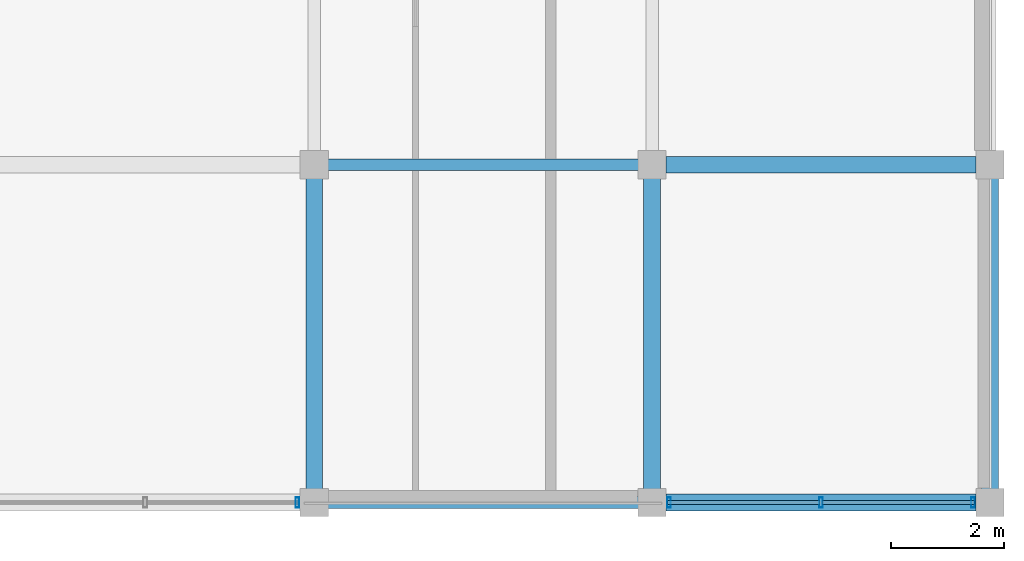
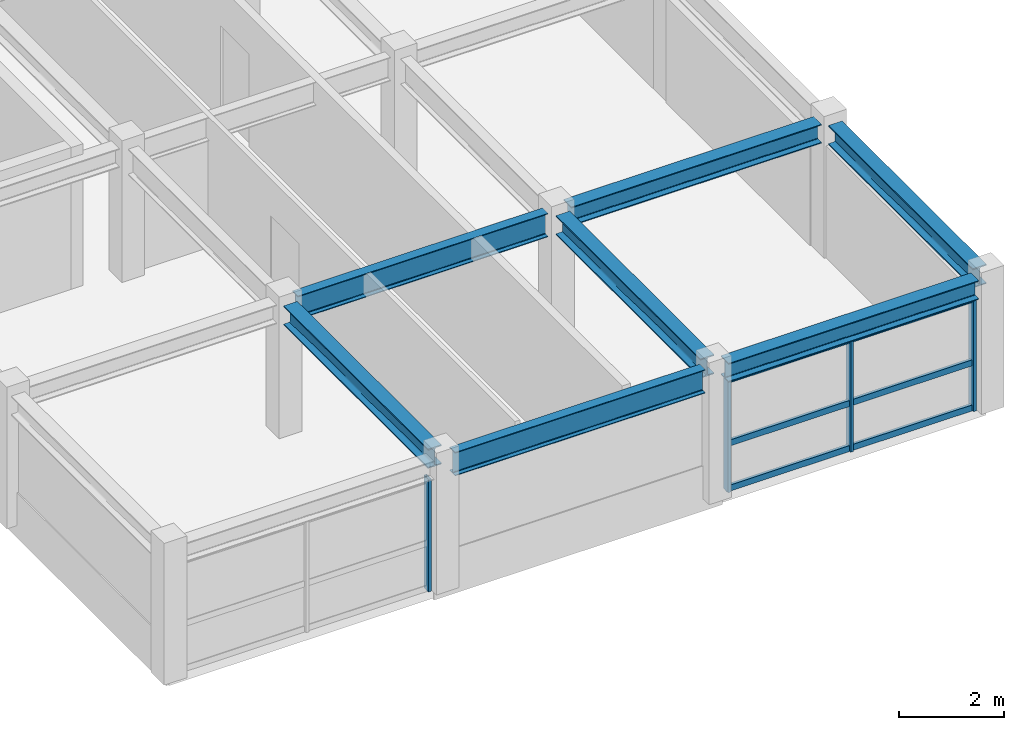
# One storey, part 4 of 11: 10 members, 7 beams, 2 elements without a shape of their own.
"""IFC4 building model written with IfcOpenShell, lengths in metres."""

from ifc_helpers import new_model, si_unit, direction, frame, origin, origin_2d, place, context, subcontext, project, spatial, hollow_rectangle, i_section, extrude, material, material_profile, profile_set, type_object, element, aggregate, save


model = new_model("IFC4")

# Units and contexts
model_context = context("Model", 3, precision=1e-05, world=origin(), true_north=direction((0.0, 1.0)))
body_context = subcontext(model_context, "Body", "Model", "MODEL_VIEW")
ifc_project = project(units=[si_unit("LENGTHUNIT", "METRE"), si_unit("AREAUNIT", "SQUARE_METRE"), si_unit("VOLUMEUNIT", "CUBIC_METRE"), si_unit("PLANEANGLEUNIT", "RADIAN"), si_unit("MASSUNIT", "GRAM", prefix="KILO"), si_unit("THERMODYNAMICTEMPERATUREUNIT", "KELVIN"), si_unit("POWERUNIT", "WATT")], contexts=[model_context])

# Site, building, storey
site_placement = place(None, origin())
site = spatial("IfcSite", under=ifc_project, at=site_placement, CompositionType="ELEMENT")
building_placement = place(site_placement, origin())
building = spatial("IfcBuilding", under=site, at=building_placement, Name="Phaisarnlok Congress Hotel", CompositionType="ELEMENT")
storey_placement = place(building_placement, frame((0.0, 0.0, 51.300048828125)))
storey = spatial("IfcBuildingStorey", under=building, at=storey_placement, Name="L13", CompositionType="ELEMENT", Elevation=51.300048828125)

# Beams
ifc_material_1 = material(Name="Steel S355", Category="steel")
ifc_material_profile_1 = material_profile(ifc_material_1, i_section(OverallWidth=0.300048828125, OverallDepth=0.43994140625, WebThickness=0.011474609375, FlangeThickness=0.02099609375, FilletRadius=0.027099609375, at=origin_2d()), Name="HEA 450")
ifc_profile_set_1 = profile_set([ifc_material_profile_1], Name="Steel S355")
beam_type_1 = type_object("IfcBeamType", Name="BM-STL-HEA450", PredefinedType="BEAM", material=ifc_profile_set_1)
for number, where, z_axis, x_axis, name in (
    (1, (174.2451171875, 66.0, 2.83984375), (1.0, 0.0, 0.0), (0.0, 1.0, 0.0), "Roof beam SB-06"),
    (2, (174.2451171875, 72.0, 2.83984375), (1.0, 0.0, 0.0), (0.0, 1.0, 0.0), "Roof beam SB-06"),
):
    element("IfcBeam", number, at=place(storey_placement, frame(where, z_axis=z_axis, x_axis=x_axis)), inside=storey, type_object=beam_type_1, Name=name, PredefinedType="BEAM", context=body_context, shape_type="SweptSolid", body=[
        extrude(i_section(OverallWidth=0.300048828125, OverallDepth=0.43994140625, WebThickness=0.011474609375, FlangeThickness=0.02099609375, FilletRadius=0.027099609375, at=origin_2d()), origin(), (0.0, 0.0, 1.0), 5.509765625),
    ])
ifc_material_profile_2 = material_profile(ifc_material_1, i_section(OverallWidth=0.300048828125, OverallDepth=0.449951171875, WebThickness=0.013916015625, FlangeThickness=0.02587890625, FilletRadius=0.027099609375, at=origin_2d()), Name="HEB 450")
ifc_profile_set_2 = profile_set([ifc_material_profile_2], Name="Steel S355")
beam_type_2 = type_object("IfcBeamType", Name="BM-STL-HEB450", PredefinedType="BEAM", material=ifc_profile_set_2)
for number, where, z_axis, x_axis, name in (
    (3, (168.0, 66.2451171875, 2.8349609375), (0.0, 1.0, 0.0), (-1.0, 0.0, 0.0), "Roof beam SB-08"),
    (4, (174.0, 66.2451171875, 2.8349609375), (0.0, 1.0, 0.0), (-1.0, 0.0, 0.0), "Roof beam SB-08"),
    (5, (180.0, 66.2451171875, 2.8349609375), (0.0, 1.0, 0.0), (-1.0, 0.0, 0.0), "Roof beam SB-08"),
):
    element("IfcBeam", number, at=place(storey_placement, frame(where, z_axis=z_axis, x_axis=x_axis)), inside=storey, type_object=beam_type_2, Name=name, PredefinedType="BEAM", context=body_context, shape_type="SweptSolid", body=[
        extrude(i_section(OverallWidth=0.300048828125, OverallDepth=0.449951171875, WebThickness=0.013916015625, FlangeThickness=0.02587890625, FilletRadius=0.027099609375, at=origin_2d()), origin(), (0.0, 0.0, 1.0), 5.509765625),
    ])
ifc_material_profile_3 = material_profile(ifc_material_1, i_section(OverallWidth=0.2099609375, OverallDepth=0.550048828125, WebThickness=0.010986328125, FlangeThickness=0.01708984375, FilletRadius=0.02392578125, at=origin_2d()), Name="IPE 550")
ifc_profile_set_3 = profile_set([ifc_material_profile_3], Name="Steel S355")
beam_type_3 = type_object("IfcBeamType", Name="BM-STL-IPE550", PredefinedType="BEAM", material=ifc_profile_set_3)
for number, where, z_axis, x_axis, name in (
    (6, (168.2451171875, 66.0, 2.784912109375), (1.0, 0.0, 0.0), (0.0, 1.0, 0.0), "Roof beam SB-03"),
    (7, (168.2451171875, 72.0, 2.784912109375), (1.0, 0.0, 0.0), (0.0, 1.0, 0.0), "Roof beam SB-03"),
):
    element("IfcBeam", number, at=place(storey_placement, frame(where, z_axis=z_axis, x_axis=x_axis)), inside=storey, type_object=beam_type_3, Name=name, PredefinedType="BEAM", context=body_context, shape_type="SweptSolid", body=[
        extrude(i_section(OverallWidth=0.2099609375, OverallDepth=0.550048828125, WebThickness=0.010986328125, FlangeThickness=0.01708984375, FilletRadius=0.02392578125, at=origin_2d()), origin(), (0.0, 0.0, 1.0), 5.509765625),
    ])

# Curtain wall, member
ifc_material_2 = material(Name="Thermally Broken Unitised Aluminium & Low-E Glazing", Category="aluminium")
curtain_wall_type = type_object("IfcCurtainWallType", Name="CW-UNIT-39", PredefinedType="NOTDEFINED", material=ifc_material_2)
curtain_wall_1_placement = place(storey_placement, origin())
curtain_wall_1 = element("IfcCurtainWall", 8, at=curtain_wall_1_placement, inside=storey, type_object=curtain_wall_type, Name="Unitised curtain wall CW-39 (L13)", PredefinedType="NOTDEFINED")
ifc_material_3 = material(Name="Anodised Aluminium Alloy 6063-T6", Category="aluminium")
ifc_material_profile_4 = material_profile(ifc_material_3, hollow_rectangle(XDim=0.06494140625, YDim=0.179931640625, WallThickness=0.00390625, at=origin_2d()), Name="ALU-M 65x180x4")
ifc_profile_set_4 = profile_set([ifc_material_profile_4], Name="Anodised Aluminium Alloy 6063-T6")
member_type_1 = type_object("IfcMemberType", Name="CWM-180", PredefinedType="MULLION", material=ifc_profile_set_4)
member_1_placement = place(storey_placement, frame((167.699951171875, 66.0, 0.0), z_axis=(0.0, 0.0, 1.0), x_axis=(1.0, 0.0, 0.0)))
member_1 = element("IfcMember", 9, at=member_1_placement, type_object=member_type_1, Name="Curtain wall mullion CWM-01", PredefinedType="MULLION", context=body_context, shape_type="SweptSolid", body=[
    extrude(hollow_rectangle(XDim=0.06494140625, YDim=0.179931640625, WallThickness=0.00390625, at=origin_2d()), origin(), (0.0, 0.0, 1.0), 2.619873046875),
])
aggregate(curtain_wall_1, [member_1])

# Curtain wall, members
curtain_wall_2_placement = place(storey_placement, origin())
curtain_wall_2 = element("IfcCurtainWall", 10, at=curtain_wall_2_placement, inside=storey, type_object=curtain_wall_type, Name="Unitised curtain wall CW-39 (L13)", PredefinedType="NOTDEFINED")
member_2_placement = place(storey_placement, frame((174.300048828125, 66.0, 0.0), z_axis=(0.0, 0.0, 1.0), x_axis=(1.0, 0.0, 0.0)))
member_2 = element("IfcMember", 11, at=member_2_placement, type_object=member_type_1, Name="Curtain wall mullion CWM-01", PredefinedType="MULLION", context=body_context, shape_type="SweptSolid", body=[
    extrude(hollow_rectangle(XDim=0.06494140625, YDim=0.179931640625, WallThickness=0.00390625, at=origin_2d()), origin(), (0.0, 0.0, 1.0), 2.619873046875),
])
member_3_placement = place(storey_placement, frame((177.0, 66.0, 0.0), z_axis=(0.0, 0.0, 1.0), x_axis=(1.0, 0.0, 0.0)))
member_3 = element("IfcMember", 12, at=member_3_placement, type_object=member_type_1, Name="Curtain wall mullion CWM-01", PredefinedType="MULLION", context=body_context, shape_type="SweptSolid", body=[
    extrude(hollow_rectangle(XDim=0.06494140625, YDim=0.179931640625, WallThickness=0.00390625, at=origin_2d()), origin(), (0.0, 0.0, 1.0), 2.619873046875),
])
member_4_placement = place(storey_placement, frame((179.699951171875, 66.0, 0.0), z_axis=(0.0, 0.0, 1.0), x_axis=(1.0, 0.0, 0.0)))
member_4 = element("IfcMember", 13, at=member_4_placement, type_object=member_type_1, Name="Curtain wall mullion CWM-01", PredefinedType="MULLION", context=body_context, shape_type="SweptSolid", body=[
    extrude(hollow_rectangle(XDim=0.06494140625, YDim=0.179931640625, WallThickness=0.00390625, at=origin_2d()), origin(), (0.0, 0.0, 1.0), 2.619873046875),
])
ifc_material_profile_5 = material_profile(ifc_material_3, hollow_rectangle(XDim=0.06494140625, YDim=0.139892578125, WallThickness=0.00390625, at=origin_2d()), Name="ALU-T 65x140x4")
ifc_profile_set_5 = profile_set([ifc_material_profile_5], Name="Anodised Aluminium Alloy 6063-T6")
member_type_2 = type_object("IfcMemberType", Name="CWT-150", PredefinedType="USERDEFINED", material=ifc_profile_set_5)
member_5_placement = place(storey_placement, frame((174.27490234375, 66.0, 0.050048828125), z_axis=(1.0, 0.0, 0.0), x_axis=(0.0, 1.0, 0.0)))
member_5 = element("IfcMember", 14, at=member_5_placement, type_object=member_type_2, Name="Curtain wall transom CWT-01", ObjectType="TRANSOM", PredefinedType="USERDEFINED", context=body_context, shape_type="SweptSolid", body=[
    extrude(hollow_rectangle(XDim=0.06494140625, YDim=0.139892578125, WallThickness=0.00390625, at=origin_2d()), origin(), (0.0, 0.0, 1.0), 2.710205078125),
])
member_6_placement = place(storey_placement, frame((174.27490234375, 66.0, 1.099853515625), z_axis=(1.0, 0.0, 0.0), x_axis=(0.0, 1.0, 0.0)))
member_6 = element("IfcMember", 15, at=member_6_placement, type_object=member_type_2, Name="Curtain wall transom CWT-01", ObjectType="TRANSOM", PredefinedType="USERDEFINED", context=body_context, shape_type="SweptSolid", body=[
    extrude(hollow_rectangle(XDim=0.06494140625, YDim=0.139892578125, WallThickness=0.00390625, at=origin_2d()), origin(), (0.0, 0.0, 1.0), 2.710205078125),
])
member_7_placement = place(storey_placement, frame((174.27490234375, 66.0, 2.570068359375), z_axis=(1.0, 0.0, 0.0), x_axis=(0.0, 1.0, 0.0)))
member_7 = element("IfcMember", 16, at=member_7_placement, type_object=member_type_2, Name="Curtain wall transom CWT-01", ObjectType="TRANSOM", PredefinedType="USERDEFINED", context=body_context, shape_type="SweptSolid", body=[
    extrude(hollow_rectangle(XDim=0.06494140625, YDim=0.139892578125, WallThickness=0.00390625, at=origin_2d()), origin(), (0.0, 0.0, 1.0), 2.710205078125),
])
member_8_placement = place(storey_placement, frame((177.014892578125, 66.0, 0.050048828125), z_axis=(1.0, 0.0, 0.0), x_axis=(0.0, 1.0, 0.0)))
member_8 = element("IfcMember", 17, at=member_8_placement, type_object=member_type_2, Name="Curtain wall transom CWT-01", ObjectType="TRANSOM", PredefinedType="USERDEFINED", context=body_context, shape_type="SweptSolid", body=[
    extrude(hollow_rectangle(XDim=0.06494140625, YDim=0.139892578125, WallThickness=0.00390625, at=origin_2d()), origin(), (0.0, 0.0, 1.0), 2.710205078125),
])
member_9_placement = place(storey_placement, frame((177.014892578125, 66.0, 1.099853515625), z_axis=(1.0, 0.0, 0.0), x_axis=(0.0, 1.0, 0.0)))
member_9 = element("IfcMember", 18, at=member_9_placement, type_object=member_type_2, Name="Curtain wall transom CWT-01", ObjectType="TRANSOM", PredefinedType="USERDEFINED", context=body_context, shape_type="SweptSolid", body=[
    extrude(hollow_rectangle(XDim=0.06494140625, YDim=0.139892578125, WallThickness=0.00390625, at=origin_2d()), origin(), (0.0, 0.0, 1.0), 2.710205078125),
])
member_10_placement = place(storey_placement, frame((177.014892578125, 66.0, 2.570068359375), z_axis=(1.0, 0.0, 0.0), x_axis=(0.0, 1.0, 0.0)))
member_10 = element("IfcMember", 19, at=member_10_placement, type_object=member_type_2, Name="Curtain wall transom CWT-01", ObjectType="TRANSOM", PredefinedType="USERDEFINED", context=body_context, shape_type="SweptSolid", body=[
    extrude(hollow_rectangle(XDim=0.06494140625, YDim=0.139892578125, WallThickness=0.00390625, at=origin_2d()), origin(), (0.0, 0.0, 1.0), 2.710205078125),
])
aggregate(curtain_wall_2, [member_2, member_3, member_4, member_5, member_6, member_7, member_8, member_9, member_10])

save(model, "model.ifc")
